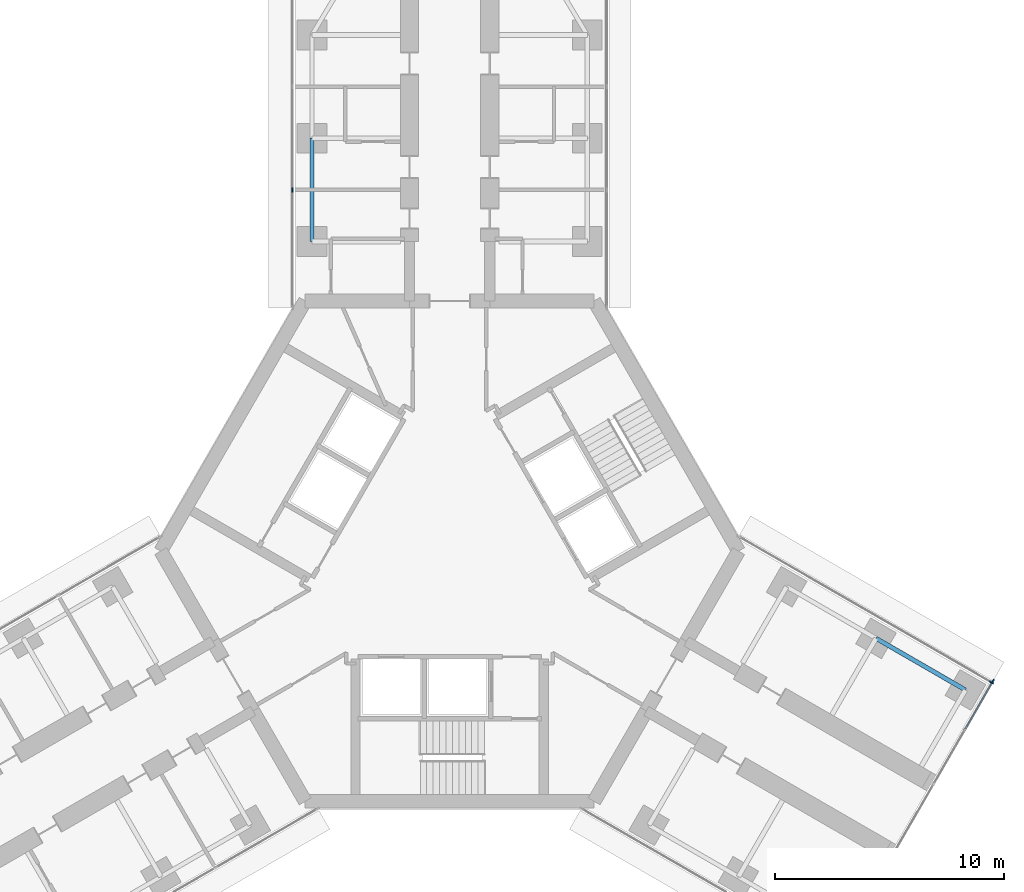
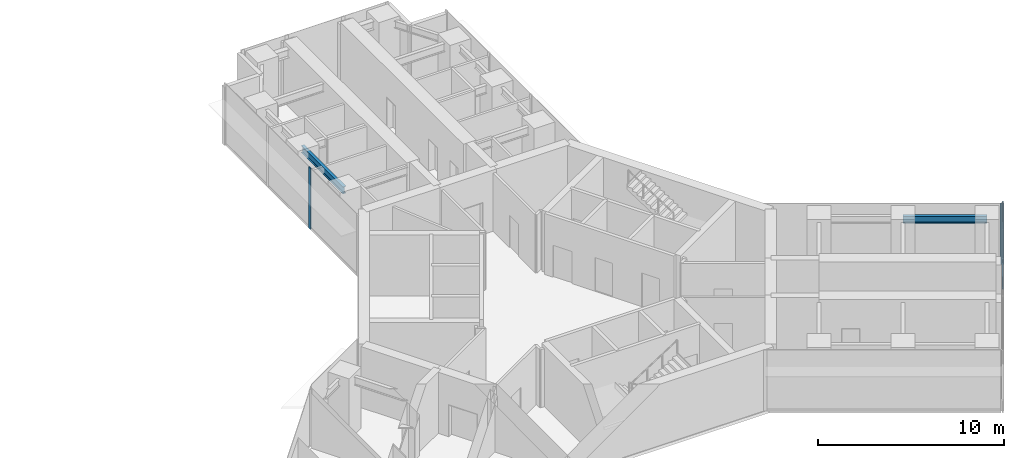
# One storey, part 11 of 22: 4 members, 2 beams, 3 elements without a shape of their own.
"""IFC4 building model written with IfcOpenShell, lengths in metres."""

from ifc_helpers import new_model, si_unit, direction, frame, origin, origin_2d, place, context, subcontext, project, spatial, rectangle, i_section, extrude, material, material_profile, profile_set, type_object, element, aggregate, save


model = new_model("IFC4")

# Units and contexts
model_context = context("Model", 3, precision=1e-05, world=origin(), true_north=direction((0.0, 1.0)))
body_context = subcontext(model_context, "Body", "Model", "MODEL_VIEW")
ifc_project = project(units=[si_unit("LENGTHUNIT", "METRE"), si_unit("AREAUNIT", "SQUARE_METRE"), si_unit("VOLUMEUNIT", "CUBIC_METRE"), si_unit("PLANEANGLEUNIT", "RADIAN"), si_unit("MASSUNIT", "GRAM", prefix="KILO")], contexts=[model_context])

# Site, building, storey
site_placement = place(None, origin())
site = spatial("IfcSite", under=ifc_project, at=site_placement, CompositionType="ELEMENT")
building_placement = place(site_placement, origin())
building = spatial("IfcBuilding", under=site, at=building_placement, Name="Upepo Twin Towers", CompositionType="ELEMENT")
storey_placement = place(building_placement, frame((0.0, 0.0, 121.5)))
storey = spatial("IfcBuildingStorey", under=building, at=storey_placement, Name="L29", CompositionType="ELEMENT", Elevation=121.5)

# Beams
ifc_material_1 = material(Name="Steel S355", Category="steel")
ifc_material_profile_1 = material_profile(ifc_material_1, i_section(OverallWidth=0.1904296875, OverallDepth=0.45703125, WebThickness=0.009033203125, FlangeThickness=0.014404296875, FilletRadius=0.01025390625, at=origin_2d()), Name="UB 457x191x74")
ifc_profile_set_1 = profile_set([ifc_material_profile_1], Name="Steel S355")
beam_type = type_object("IfcBeamType", Name="Beam UB 457x191x74", PredefinedType="BEAM", material=ifc_profile_set_1)
for number, where, z_axis, x_axis, name in (
    (1, (52.5, -4.5, 3.571533203125), (0.0, 1.0, 0.0), (-1.0, 0.0, 0.0), "T2 edge beam AL 13.5-18.0"),
    (2, (77.08837890625, -21.803955078125, 3.571533203125), (0.866031096941, -0.499990139034, 0.0), (0.499990139034, 0.866031096941, 0.0), "T2 edge beam CL 18.0-22.5"),
):
    element("IfcBeam", number, at=place(storey_placement, frame(where, z_axis=z_axis, x_axis=x_axis)), inside=storey, type_object=beam_type, Name=name, PredefinedType="BEAM", context=body_context, shape_type="SweptSolid", body=[
        extrude(i_section(OverallWidth=0.1904296875, OverallDepth=0.45703125, WebThickness=0.009033203125, FlangeThickness=0.014404296875, FilletRadius=0.01025390625, at=origin_2d()), origin(), (0.0, 0.0, 1.0), 4.5),
    ])

# Curtain wall, member
ifc_material_2 = material(Name="Aluminium and fritted glass", Category="aluminium")
curtain_wall_type = type_object("IfcCurtainWallType", Name="Tower curtain wall TW2, fritted glass", PredefinedType="NOTDEFINED", material=ifc_material_2)
curtain_wall_1_placement = place(storey_placement, origin())
curtain_wall_1 = element("IfcCurtainWall", 3, at=curtain_wall_1_placement, inside=storey, type_object=curtain_wall_type, Name="T2 L29 wing A flank L curtain wall", PredefinedType="NOTDEFINED")
ifc_material_3 = material(Name="Aluminium mullion", Category="aluminium")
ifc_material_profile_2 = material_profile(ifc_material_3, rectangle(XDim=0.06494140625, YDim=0.199951171875, at=origin_2d()), Name="MULLION 65x200")
ifc_profile_set_2 = profile_set([ifc_material_profile_2], Name="Aluminium mullion")
member_type_1 = type_object("IfcMemberType", Name="Mullion 65x200 TW2", PredefinedType="MULLION", material=ifc_profile_set_2)
member_1_placement = place(storey_placement, frame((51.64990234375, -2.25, 0.0), z_axis=(0.0, 0.0, 1.0), x_axis=(-1.0, 0.0, 0.0)))
member_1 = element("IfcMember", 4, at=member_1_placement, type_object=member_type_1, Name="T2 L29 wing A flank L curtain wall mullion 2", PredefinedType="MULLION", context=body_context, shape_type="SweptSolid", body=[
    extrude(rectangle(XDim=0.06494140625, YDim=0.199951171875, at=origin_2d()), origin(), (0.0, 0.0, 1.0), 4.0),
])
aggregate(curtain_wall_1, [member_1])

curtain_wall_2_placement = place(storey_placement, origin())
curtain_wall_2 = element("IfcCurtainWall", 5, at=curtain_wall_2_placement, inside=storey, type_object=curtain_wall_type, Name="T2 L29 wing C flank L curtain wall", PredefinedType="NOTDEFINED")
member_2_placement = place(storey_placement, frame((82.11865234375, -23.7265625, 0.0), z_axis=(0.0, 0.0, 1.0), x_axis=(0.50000000792, 0.866025399212, 0.0)))
member_2 = element("IfcMember", 6, at=member_2_placement, type_object=member_type_1, Name="T2 L29 wing C flank L curtain wall mullion 2", PredefinedType="MULLION", context=body_context, shape_type="SweptSolid", body=[
    extrude(rectangle(XDim=0.06494140625, YDim=0.199951171875, at=origin_2d()), origin(), (0.0, 0.0, 1.0), 4.0),
])
aggregate(curtain_wall_2, [member_2])

# Curtain wall, members
curtain_wall_3_placement = place(storey_placement, origin())
curtain_wall_3 = element("IfcCurtainWall", 7, at=curtain_wall_3_placement, inside=storey, type_object=curtain_wall_type, Name="T2 L29 wing C nose curtain wall", PredefinedType="NOTDEFINED")
member_3_placement = place(storey_placement, frame((82.180419921875, -23.684326171875, 0.0), z_axis=(0.0, 0.0, 1.0), x_axis=(-0.866025419745, 0.499999972355, 0.0)))
member_3 = element("IfcMember", 8, at=member_3_placement, type_object=member_type_1, Name="T2 L29 wing C nose curtain wall mullion 6", PredefinedType="MULLION", context=body_context, shape_type="SweptSolid", body=[
    extrude(rectangle(XDim=0.06494140625, YDim=0.199951171875, at=origin_2d()), origin(), (0.0, 0.0, 1.0), 4.0),
])
ifc_material_4 = material(Name="Aluminium transom", Category="aluminium")
ifc_material_profile_3 = material_profile(ifc_material_4, rectangle(XDim=0.06494140625, YDim=0.14990234375, at=origin_2d()), Name="TRANSOM 65x150")
ifc_profile_set_3 = profile_set([ifc_material_profile_3], Name="Aluminium transom")
member_type_2 = type_object("IfcMemberType", Name="Transom 65x150 TW2", PredefinedType="USERDEFINED", material=ifc_profile_set_3)
member_4_placement = place(storey_placement, frame((80.988037109375, -25.749755859375, 0.074951171875), z_axis=(0.50000093428, 0.866024864377, 0.0), x_axis=(-0.866024864377, 0.50000093428, 0.0)))
member_4 = element("IfcMember", 9, at=member_4_placement, type_object=member_type_2, Name="T2 L29 wing C nose curtain wall transom 5", ObjectType="TRANSOM", PredefinedType="USERDEFINED", context=body_context, shape_type="SweptSolid", body=[
    extrude(rectangle(XDim=0.06494140625, YDim=0.14990234375, at=origin_2d()), origin(), (0.0, 0.0, 1.0), 2.3525390625),
])
aggregate(curtain_wall_3, [member_3, member_4])

save(model, "model.ifc")
